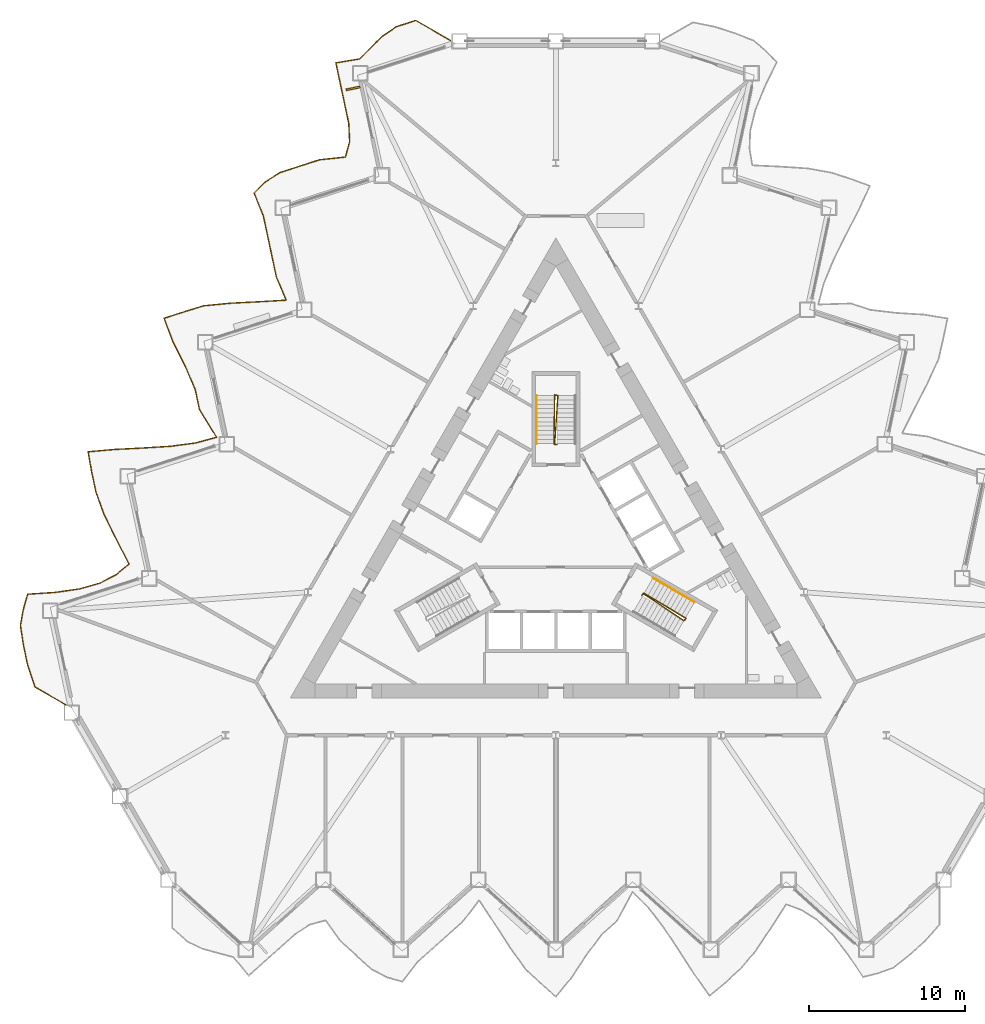
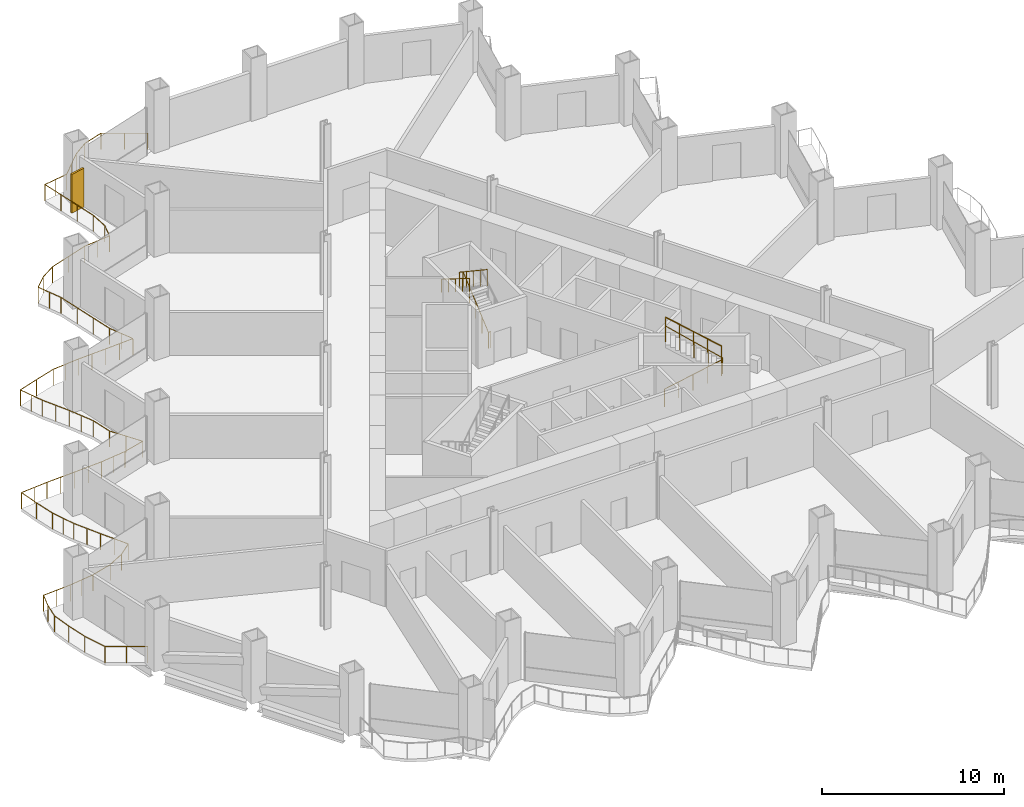
# One storey, part 18 of 21: 5 railings, 1 shading device.
"""IFC4 building model written with IfcOpenShell, lengths in metres."""

from ifc_helpers import new_model, si_unit, direction, frame, origin, origin_2d, place, context, subcontext, project, spatial, rectangle, circle, extrude, material, layer, layer_set, type_object, element, save


model = new_model("IFC4")

# Units and contexts
model_context = context("Model", 3, precision=1e-05, world=origin(), true_north=direction((0.0, 1.0)))
body_context = subcontext(model_context, "Body", "Model", "MODEL_VIEW")
ifc_project = project(units=[si_unit("LENGTHUNIT", "METRE"), si_unit("AREAUNIT", "SQUARE_METRE"), si_unit("VOLUMEUNIT", "CUBIC_METRE"), si_unit("PLANEANGLEUNIT", "RADIAN"), si_unit("MASSUNIT", "GRAM", prefix="KILO")], contexts=[model_context])

# Site, building, storey
site_placement = place(None, origin())
site = spatial("IfcSite", under=ifc_project, at=site_placement, CompositionType="ELEMENT")
building_placement = place(site_placement, origin())
building = spatial("IfcBuilding", under=site, at=building_placement, Name="Cormorant Prow Tower", CompositionType="ELEMENT")
storey_placement = place(building_placement, frame((0.0, 0.0, 72.0)))
storey = spatial("IfcBuildingStorey", under=building, at=storey_placement, Name="L15", CompositionType="ELEMENT", Elevation=72.0)

# Railings
ifc_material_1 = material(Name="Aluminium 6063-T6", Category="aluminium")
railing_type_1 = type_object("IfcRailingType", Name="Balcony guard 1100", PredefinedType="GUARDRAIL", material=ifc_material_1)
railing_1_placement = place(storey_placement, frame((-6.743896484375, 32.281982421875, 0.0)))
element("IfcRailing", 1, at=railing_1_placement, inside=storey, type_object=railing_type_1, Name="Balcony guard WNW", PredefinedType="GUARDRAIL", context=body_context, shape_type="SweptSolid", body=[
    extrude(circle(Radius=0.02392578125, at=origin_2d()), frame((0.0, 0.0, 1.076171875), z_axis=(-0.86598941085, 0.50006233641, 0.0), x_axis=(-0.50006233641, -0.86598941085, 0.0)), (0.0, 0.0, 1.0), 2.570068359375),
    extrude(circle(Radius=0.02392578125, at=origin_2d()), frame((-2.2255859375, 1.28515625, 1.076171875), z_axis=(-0.951072017002, -0.308969284034, 0.0), x_axis=(0.308969284034, -0.951072017002, 0.0)), (0.0, 0.0, 1.0), 1.323486328125),
    extrude(circle(Radius=0.02392578125, at=origin_2d()), frame((-3.484375, 0.876220703125, 1.076171875), z_axis=(-0.824035385261, -0.566538333952, 0.0), x_axis=(0.566538333952, -0.824035385261, 0.0)), (0.0, 0.0, 1.0), 1.08935546875),
    extrude(circle(Radius=0.02392578125, at=origin_2d()), frame((-4.382080078125, 0.259033203125, 1.076171875), z_axis=(-0.709260026546, -0.704946958817, 0.0), x_axis=(0.704946958817, -0.709260026546, 0.0)), (0.0, 0.0, 1.0), 1.018798828125),
    extrude(circle(Radius=0.02392578125, at=origin_2d()), frame((-5.104736328125, -0.459228515625, 1.076171875), z_axis=(-0.706746960996, -0.707466418371, 0.0), x_axis=(0.707466418371, -0.706746960996, 0.0)), (0.0, 0.0, 1.0), 1.01806640625),
    extrude(circle(Radius=0.02392578125, at=origin_2d()), frame((-5.82421875, -1.179443359375, 1.076171875), z_axis=(-0.986295604525, -0.16498781923, 0.0), x_axis=(0.16498781923, -0.986295604525, 0.0)), (0.0, 0.0, 1.0), 1.54638671875),
    extrude(circle(Radius=0.02392578125, at=origin_2d()), frame((-7.349365234375, -1.4345703125, 1.076171875), z_axis=(0.207916123024, -0.978146658629, 0.0), x_axis=(0.978146658629, 0.207916123024, 0.0)), (0.0, 0.0, 1.0), 1.3232421875),
    extrude(circle(Radius=0.02392578125, at=origin_2d()), frame((-7.07421875, -2.72900390625, 1.076171875), z_axis=(0.207953649087, -0.978138681288, 0.0), x_axis=(0.978138681288, 0.207953649087, 0.0)), (0.0, 0.0, 1.0), 1.322998046875),
    extrude(circle(Radius=0.02392578125, at=origin_2d()), frame((-6.799072265625, -4.023193359375, 1.076171875), z_axis=(0.207916123024, -0.978146658629, 0.0), x_axis=(0.978146658629, 0.207916123024, 0.0)), (0.0, 0.0, 1.0), 1.3232421875),
    extrude(circle(Radius=0.02392578125, at=origin_2d()), frame((-6.52392578125, -5.317626953125, 1.076171875), z_axis=(0.045995638535, -0.998941640556, 0.0), x_axis=(0.998941640556, 0.045995638535, 0.0)), (0.0, 0.0, 1.0), 1.167724609375),
    extrude(circle(Radius=0.02392578125, at=origin_2d()), frame((-6.47021484375, -6.484130859375, 1.076171875), z_axis=(-0.262589307442, -0.964907692796, 0.0), x_axis=(0.964907692796, -0.262589307442, 0.0)), (0.0, 0.0, 1.0), 1.01708984375),
    extrude(circle(Radius=0.02392578125, at=origin_2d()), frame((-6.7373046875, -7.465576171875, 1.076171875), z_axis=(-0.994527816492, -0.104472112178, 0.0), x_axis=(0.104472112178, -0.994527816492, 0.0)), (0.0, 0.0, 1.0), 1.67333984375),
    extrude(circle(Radius=0.02392578125, at=origin_2d()), frame((-8.4013671875, -7.640380859375, 1.076171875), z_axis=(-0.951054403512, -0.309023496777, 0.0), x_axis=(0.309023496777, -0.951054403512, 0.0)), (0.0, 0.0, 1.0), 1.3232421875),
    extrude(circle(Radius=0.02392578125, at=origin_2d()), frame((-9.659912109375, -8.04931640625, 1.076171875), z_axis=(-0.951054403512, -0.309023496777, 0.0), x_axis=(0.309023496777, -0.951054403512, 0.0)), (0.0, 0.0, 1.0), 1.3232421875),
    extrude(circle(Radius=0.02392578125, at=origin_2d()), frame((-10.91845703125, -8.458251953125, 1.076171875), z_axis=(-0.846452772035, -0.532463806014, 0.0), x_axis=(0.532463806014, -0.846452772035, 0.0)), (0.0, 0.0, 1.0), 1.11181640625),
    extrude(circle(Radius=0.02392578125, at=origin_2d()), frame((-11.859619140625, -9.05029296875, 1.076171875), z_axis=(-0.715187202401, -0.698932947801, 0.0), x_axis=(0.698932947801, -0.715187202401, 0.0)), (0.0, 0.0, 1.0), 1.021484375),
    extrude(circle(Radius=0.02392578125, at=origin_2d()), frame((-12.590087890625, -9.76416015625, 1.076171875), z_axis=(0.374839476918, -0.9270897295, 0.0), x_axis=(0.9270897295, 0.374839476918, 0.0)), (0.0, 0.0, 1.0), 1.59765625),
    extrude(circle(Radius=0.02392578125, at=origin_2d()), frame((-11.9912109375, -11.245361328125, 1.076171875), z_axis=(0.207916123024, -0.978146658629, 0.0), x_axis=(0.978146658629, 0.207916123024, 0.0)), (0.0, 0.0, 1.0), 1.3232421875),
    extrude(circle(Radius=0.02392578125, at=origin_2d()), frame((-11.716064453125, -12.539794921875, 1.076171875), z_axis=(0.207916123024, -0.978146658629, 0.0), x_axis=(0.978146658629, 0.207916123024, 0.0)), (0.0, 0.0, 1.0), 1.3232421875),
    extrude(circle(Radius=0.02392578125, at=origin_2d()), frame((-11.44091796875, -13.834228515625, 1.076171875), z_axis=(0.207916123024, -0.978146658629, 0.0), x_axis=(0.978146658629, 0.207916123024, 0.0)), (0.0, 0.0, 1.0), 1.3232421875),
    extrude(circle(Radius=0.02392578125, at=origin_2d()), frame((-11.165771484375, -15.128662109375, 1.076171875), z_axis=(0.386854438538, -0.922140793688, 0.0), x_axis=(0.922140793688, 0.386854438538, 0.0)), (0.0, 0.0, 1.0), 1.625),
    extrude(circle(Radius=0.02392578125, at=origin_2d()), frame((-10.537109375, -16.627197265625, 1.076171875), z_axis=(-0.998221644478, -0.059611647308, 0.0), x_axis=(0.059611647308, -0.998221644478, 0.0)), (0.0, 0.0, 1.0), 1.78564453125),
    extrude(circle(Radius=0.02392578125, at=origin_2d()), frame((-12.319580078125, -16.733642578125, 1.076171875), z_axis=(-0.998683055757, -0.051304523616, 0.0), x_axis=(0.051304523616, -0.998683055757, 0.0)), (0.0, 0.0, 1.0), 1.808349609375),
    extrude(circle(Radius=0.02392578125, at=origin_2d()), frame((-14.12548828125, -16.826416015625, 1.076171875), z_axis=(-0.995378066941, -0.096033868258, 0.0), x_axis=(0.096033868258, -0.995378066941, 0.0)), (0.0, 0.0, 1.0), 1.693115234375),
    extrude(circle(Radius=0.02392578125, at=origin_2d()), frame((-15.810791015625, -16.989013671875, 1.076171875), z_axis=(-0.955790803471, -0.294047513168, 0.0), x_axis=(0.294047513168, -0.955790803471, 0.0)), (0.0, 0.0, 1.0), 1.342529296875),
    extrude(circle(Radius=0.02392578125, at=origin_2d()), frame((-17.093994140625, -17.3837890625, 1.076171875), z_axis=(-0.951108613714, -0.308856608993, 0.0), x_axis=(0.308856608993, -0.951108613714, 0.0)), (0.0, 0.0, 1.0), 1.3232421875),
    extrude(circle(Radius=0.02392578125, at=origin_2d()), frame((-18.3525390625, -17.79248046875, 1.076171875), z_axis=(0.354100081093, -0.935207534492, 0.0), x_axis=(0.935207534492, 0.354100081093, 0.0)), (0.0, 0.0, 1.0), 1.553955078125),
    extrude(circle(Radius=0.02392578125, at=origin_2d()), frame((-17.80224609375, -19.245849609375, 1.076171875), z_axis=(0.446007023585, -0.89502946036, 0.0), x_axis=(0.89502946036, 0.446007023585, 0.0)), (0.0, 0.0, 1.0), 1.78125),
    extrude(circle(Radius=0.02392578125, at=origin_2d()), frame((-17.0078125, -20.840087890625, 1.076171875), z_axis=(0.395173075821, -0.91860668414, 0.0), x_axis=(0.91860668414, 0.395173075821, 0.0)), (0.0, 0.0, 1.0), 1.64453125),
    extrude(circle(Radius=0.02392578125, at=origin_2d()), frame((-16.35791015625, -22.350830078125, 1.076171875), z_axis=(0.207953649087, -0.978138681288, 0.0), x_axis=(0.978138681288, 0.207953649087, 0.0)), (0.0, 0.0, 1.0), 1.322998046875),
    extrude(circle(Radius=0.02392578125, at=origin_2d()), frame((-16.082763671875, -23.64501953125, 1.076171875), z_axis=(0.525527953778, -0.850776333591, 0.0), x_axis=(0.850776333591, 0.525527953778, 0.0)), (0.0, 0.0, 1.0), 2.07470703125),
    extrude(circle(Radius=0.02392578125, at=origin_2d()), frame((-14.992431640625, -25.41015625, 1.076171875), z_axis=(-0.964974933901, -0.262342099065, 0.0), x_axis=(0.262342099065, -0.964974933901, 0.0)), (0.0, 0.0, 1.0), 1.3857421875),
    extrude(circle(Radius=0.02392578125, at=origin_2d()), frame((-16.32958984375, -25.773681640625, 1.076171875), z_axis=(-0.991363444038, -0.131143134877, 0.0), x_axis=(0.131143134877, -0.991363444038, 0.0)), (0.0, 0.0, 1.0), 1.614013671875),
    extrude(circle(Radius=0.02392578125, at=origin_2d()), frame((-17.9296875, -25.9853515625, 1.076171875), z_axis=(-0.99801766977, -0.06293433743, 0.0), x_axis=(0.06293433743, -0.99801766977, 0.0)), (0.0, 0.0, 1.0), 1.776611328125),
    extrude(circle(Radius=0.02392578125, at=origin_2d()), frame((-19.702880859375, -26.09716796875, 1.076171875), z_axis=(-0.998750322432, -0.049977929542, 0.0), x_axis=(0.049977929542, -0.998750322432, 0.0)), (0.0, 0.0, 1.0), 1.812255859375),
    extrude(circle(Radius=0.02392578125, at=origin_2d()), frame((-21.512939453125, -26.187744140625, 1.076171875), z_axis=(-0.995964353039, -0.089749693458, 0.0), x_axis=(0.089749693458, -0.995964353039, 0.0)), (0.0, 0.0, 1.0), 1.708251953125),
    extrude(circle(Radius=0.02392578125, at=origin_2d()), frame((-23.21435546875, -26.341064453125, 1.076171875), z_axis=(0.1716547306, -0.985157171959, 0.0), x_axis=(0.985157171959, 0.1716547306, 0.0)), (0.0, 0.0, 1.0), 1.281494140625),
    extrude(circle(Radius=0.02392578125, at=origin_2d()), frame((-22.994384765625, -27.603515625, 1.076171875), z_axis=(0.207916123024, -0.978146658629, 0.0), x_axis=(0.978146658629, 0.207916123024, 0.0)), (0.0, 0.0, 1.0), 1.3232421875),
    extrude(circle(Radius=0.02392578125, at=origin_2d()), frame((-22.71923828125, -28.89794921875, 1.076171875), z_axis=(0.335704546621, -0.941967333498, 0.0), x_axis=(0.941967333498, 0.335704546621, 0.0)), (0.0, 0.0, 1.0), 1.517822265625),
    extrude(circle(Radius=0.02392578125, at=origin_2d()), frame((-22.209716796875, -30.32763671875, 1.076171875), z_axis=(0.442798094343, -0.896621351322, 0.0), x_axis=(0.896621351322, 0.442798094343, 0.0)), (0.0, 0.0, 1.0), 1.771484375),
    extrude(circle(Radius=0.02392578125, at=origin_2d()), frame((-21.42529296875, -31.916015625, 1.076171875), z_axis=(0.456557099974, -0.889694112863, 0.0), x_axis=(0.889694112863, 0.456557099974, 0.0)), (0.0, 0.0, 1.0), 1.81396484375),
    extrude(circle(Radius=0.02392578125, at=origin_2d()), frame((-20.59716796875, -33.52978515625, 1.076171875), z_axis=(-0.770011758677, -0.638029694841, 0.0), x_axis=(0.638029694841, -0.770011758677, 0.0)), (0.0, 0.0, 1.0), 1.048828125),
    extrude(circle(Radius=0.02392578125, at=origin_2d()), frame((-21.40478515625, -34.198974609375, 1.076171875), z_axis=(-0.884954654148, -0.465677205908, 0.0), x_axis=(0.465677205908, -0.884954654148, 0.0)), (0.0, 0.0, 1.0), 1.162841796875),
    extrude(circle(Radius=0.02392578125, at=origin_2d()), frame((-22.433837890625, -34.740478515625, 1.076171875), z_axis=(-0.960777764863, -0.277319466581, 0.0), x_axis=(0.277319466581, -0.960777764863, 0.0)), (0.0, 0.0, 1.0), 1.364501953125),
    extrude(circle(Radius=0.02392578125, at=origin_2d()), frame((-23.744873046875, -35.118896484375, 1.076171875), z_axis=(-0.99009593478, -0.140392449697, 0.0), x_axis=(0.140392449697, -0.99009593478, 0.0)), (0.0, 0.0, 1.0), 1.5947265625),
    extrude(circle(Radius=0.02392578125, at=origin_2d()), frame((-25.32373046875, -35.3427734375, 1.076171875), z_axis=(-0.997760012921, -0.066895116533, 0.0), x_axis=(0.066895116533, -0.997760012921, 0.0)), (0.0, 0.0, 1.0), 1.766357421875),
    extrude(circle(Radius=0.02392578125, at=origin_2d()), frame((-27.086181640625, -35.4609375, 1.076171875), z_axis=(-0.275548143323, -0.961287272729, 0.0), x_axis=(0.961287272729, -0.275548143323, 0.0)), (0.0, 0.0, 1.0), 1.013671875),
    extrude(circle(Radius=0.02392578125, at=origin_2d()), frame((-27.365478515625, -36.435302734375, 1.076171875), z_axis=(-0.175289754065, -0.984516887676, 0.0), x_axis=(0.984516887676, -0.175289754065, 0.0)), (0.0, 0.0, 1.0), 1.0458984375),
    extrude(circle(Radius=0.02392578125, at=origin_2d()), frame((-27.548828125, -37.465087890625, 1.076171875), z_axis=(0.14927059664, -0.988796383983, 0.0), x_axis=(0.988796383983, 0.14927059664, 0.0)), (0.0, 0.0, 1.0), 1.2578125),
    extrude(circle(Radius=0.02392578125, at=origin_2d()), frame((-27.361083984375, -38.708740234375, 1.076171875), z_axis=(0.207916123024, -0.978146658629, 0.0), x_axis=(0.978146658629, 0.207916123024, 0.0)), (0.0, 0.0, 1.0), 1.3232421875),
    extrude(circle(Radius=0.02392578125, at=origin_2d()), frame((-27.0859375, -40.003173828125, 1.076171875), z_axis=(0.316968249685, -0.94843614898, 0.0), x_axis=(0.94843614898, 0.316968249685, 0.0)), (0.0, 0.0, 1.0), 1.4833984375),
    extrude(circle(Radius=0.02392578125, at=origin_2d()), frame((-26.61572265625, -41.41015625, 1.076171875), z_axis=(0.866017386532, -0.500013886032, 0.0), x_axis=(0.500013886032, 0.866017386532, 0.0)), (0.0, 0.0, 1.0), 2.3447265625),
    extrude(circle(Radius=0.02099609375, at=origin_2d()), origin(), (0.0, 0.0, 1.0), 1.052001953125),
    extrude(circle(Radius=0.02099609375, at=origin_2d()), frame((-1.11279296875, 0.642578125, 0.0)), (0.0, 0.0, 1.0), 1.052001953125),
    extrude(circle(Radius=0.02099609375, at=origin_2d()), frame((-2.2255859375, 1.28515625, 0.0)), (0.0, 0.0, 1.0), 1.052001953125),
    extrude(circle(Radius=0.02099609375, at=origin_2d()), frame((-3.484375, 0.876220703125, 0.0)), (0.0, 0.0, 1.0), 1.052001953125),
    extrude(circle(Radius=0.02099609375, at=origin_2d()), frame((-4.382080078125, 0.259033203125, 0.0)), (0.0, 0.0, 1.0), 1.052001953125),
    extrude(circle(Radius=0.02099609375, at=origin_2d()), frame((-5.104736328125, -0.459228515625, 0.0)), (0.0, 0.0, 1.0), 1.052001953125),
    extrude(circle(Radius=0.02099609375, at=origin_2d()), frame((-5.82421875, -1.179443359375, 0.0)), (0.0, 0.0, 1.0), 1.052001953125),
    extrude(circle(Radius=0.02099609375, at=origin_2d()), frame((-6.5869140625, -1.30712890625, 0.0)), (0.0, 0.0, 1.0), 1.052001953125),
    extrude(circle(Radius=0.02099609375, at=origin_2d()), frame((-7.349365234375, -1.4345703125, 0.0)), (0.0, 0.0, 1.0), 1.052001953125),
    extrude(circle(Radius=0.02099609375, at=origin_2d()), frame((-7.07421875, -2.72900390625, 0.0)), (0.0, 0.0, 1.0), 1.052001953125),
    extrude(circle(Radius=0.02099609375, at=origin_2d()), frame((-6.799072265625, -4.023193359375, 0.0)), (0.0, 0.0, 1.0), 1.052001953125),
    extrude(circle(Radius=0.02099609375, at=origin_2d()), frame((-6.52392578125, -5.317626953125, 0.0)), (0.0, 0.0, 1.0), 1.052001953125),
    extrude(circle(Radius=0.02099609375, at=origin_2d()), frame((-6.47021484375, -6.484130859375, 0.0)), (0.0, 0.0, 1.0), 1.052001953125),
    extrude(circle(Radius=0.02099609375, at=origin_2d()), frame((-6.7373046875, -7.465576171875, 0.0)), (0.0, 0.0, 1.0), 1.052001953125),
    extrude(circle(Radius=0.02099609375, at=origin_2d()), frame((-7.5693359375, -7.552978515625, 0.0)), (0.0, 0.0, 1.0), 1.052001953125),
    extrude(circle(Radius=0.02099609375, at=origin_2d()), frame((-8.4013671875, -7.640380859375, 0.0)), (0.0, 0.0, 1.0), 1.052001953125),
    extrude(circle(Radius=0.02099609375, at=origin_2d()), frame((-9.659912109375, -8.04931640625, 0.0)), (0.0, 0.0, 1.0), 1.052001953125),
    extrude(circle(Radius=0.02099609375, at=origin_2d()), frame((-10.91845703125, -8.458251953125, 0.0)), (0.0, 0.0, 1.0), 1.052001953125),
    extrude(circle(Radius=0.02099609375, at=origin_2d()), frame((-11.859619140625, -9.05029296875, 0.0)), (0.0, 0.0, 1.0), 1.052001953125),
    extrude(circle(Radius=0.02099609375, at=origin_2d()), frame((-12.590087890625, -9.76416015625, 0.0)), (0.0, 0.0, 1.0), 1.052001953125),
    extrude(circle(Radius=0.02099609375, at=origin_2d()), frame((-12.29052734375, -10.5048828125, 0.0)), (0.0, 0.0, 1.0), 1.052001953125),
    extrude(circle(Radius=0.02099609375, at=origin_2d()), frame((-11.9912109375, -11.245361328125, 0.0)), (0.0, 0.0, 1.0), 1.052001953125),
    extrude(circle(Radius=0.02099609375, at=origin_2d()), frame((-11.716064453125, -12.539794921875, 0.0)), (0.0, 0.0, 1.0), 1.052001953125),
    extrude(circle(Radius=0.02099609375, at=origin_2d()), frame((-11.44091796875, -13.834228515625, 0.0)), (0.0, 0.0, 1.0), 1.052001953125),
    extrude(circle(Radius=0.02099609375, at=origin_2d()), frame((-11.165771484375, -15.128662109375, 0.0)), (0.0, 0.0, 1.0), 1.052001953125),
    extrude(circle(Radius=0.02099609375, at=origin_2d()), frame((-10.8515625, -15.8779296875, 0.0)), (0.0, 0.0, 1.0), 1.052001953125),
    extrude(circle(Radius=0.02099609375, at=origin_2d()), frame((-10.537109375, -16.627197265625, 0.0)), (0.0, 0.0, 1.0), 1.052001953125),
    extrude(circle(Radius=0.02099609375, at=origin_2d()), frame((-11.42822265625, -16.680419921875, 0.0)), (0.0, 0.0, 1.0), 1.052001953125),
    extrude(circle(Radius=0.02099609375, at=origin_2d()), frame((-12.319580078125, -16.733642578125, 0.0)), (0.0, 0.0, 1.0), 1.052001953125),
    extrude(circle(Radius=0.02099609375, at=origin_2d()), frame((-13.22265625, -16.780029296875, 0.0)), (0.0, 0.0, 1.0), 1.052001953125),
    extrude(circle(Radius=0.02099609375, at=origin_2d()), frame((-14.12548828125, -16.826416015625, 0.0)), (0.0, 0.0, 1.0), 1.052001953125),
    extrude(circle(Radius=0.02099609375, at=origin_2d()), frame((-14.96826171875, -16.90771484375, 0.0)), (0.0, 0.0, 1.0), 1.052001953125),
    extrude(circle(Radius=0.02099609375, at=origin_2d()), frame((-15.810791015625, -16.989013671875, 0.0)), (0.0, 0.0, 1.0), 1.052001953125),
    extrude(circle(Radius=0.02099609375, at=origin_2d()), frame((-17.093994140625, -17.3837890625, 0.0)), (0.0, 0.0, 1.0), 1.052001953125),
    extrude(circle(Radius=0.02099609375, at=origin_2d()), frame((-18.3525390625, -17.79248046875, 0.0)), (0.0, 0.0, 1.0), 1.052001953125),
    extrude(circle(Radius=0.02099609375, at=origin_2d()), frame((-18.077392578125, -18.51904296875, 0.0)), (0.0, 0.0, 1.0), 1.052001953125),
    extrude(circle(Radius=0.02099609375, at=origin_2d()), frame((-17.80224609375, -19.245849609375, 0.0)), (0.0, 0.0, 1.0), 1.052001953125),
    extrude(circle(Radius=0.02099609375, at=origin_2d()), frame((-17.405029296875, -20.04296875, 0.0)), (0.0, 0.0, 1.0), 1.052001953125),
    extrude(circle(Radius=0.02099609375, at=origin_2d()), frame((-17.0078125, -20.840087890625, 0.0)), (0.0, 0.0, 1.0), 1.052001953125),
    extrude(circle(Radius=0.02099609375, at=origin_2d()), frame((-16.682861328125, -21.595458984375, 0.0)), (0.0, 0.0, 1.0), 1.052001953125),
    extrude(circle(Radius=0.02099609375, at=origin_2d()), frame((-16.35791015625, -22.350830078125, 0.0)), (0.0, 0.0, 1.0), 1.052001953125),
    extrude(circle(Radius=0.02099609375, at=origin_2d()), frame((-16.082763671875, -23.64501953125, 0.0)), (0.0, 0.0, 1.0), 1.052001953125),
    extrude(circle(Radius=0.02099609375, at=origin_2d()), frame((-15.53759765625, -24.527587890625, 0.0)), (0.0, 0.0, 1.0), 1.052001953125),
    extrude(circle(Radius=0.02099609375, at=origin_2d()), frame((-14.992431640625, -25.41015625, 0.0)), (0.0, 0.0, 1.0), 1.052001953125),
    extrude(circle(Radius=0.02099609375, at=origin_2d()), frame((-16.32958984375, -25.773681640625, 0.0)), (0.0, 0.0, 1.0), 1.052001953125),
    extrude(circle(Radius=0.02099609375, at=origin_2d()), frame((-17.129638671875, -25.87939453125, 0.0)), (0.0, 0.0, 1.0), 1.052001953125),
    extrude(circle(Radius=0.02099609375, at=origin_2d()), frame((-17.9296875, -25.9853515625, 0.0)), (0.0, 0.0, 1.0), 1.052001953125),
    extrude(circle(Radius=0.02099609375, at=origin_2d()), frame((-18.81640625, -26.041259765625, 0.0)), (0.0, 0.0, 1.0), 1.052001953125),
    extrude(circle(Radius=0.02099609375, at=origin_2d()), frame((-19.702880859375, -26.09716796875, 0.0)), (0.0, 0.0, 1.0), 1.052001953125),
    extrude(circle(Radius=0.02099609375, at=origin_2d()), frame((-20.60791015625, -26.142578125, 0.0)), (0.0, 0.0, 1.0), 1.052001953125),
    extrude(circle(Radius=0.02099609375, at=origin_2d()), frame((-21.512939453125, -26.187744140625, 0.0)), (0.0, 0.0, 1.0), 1.052001953125),
    extrude(circle(Radius=0.02099609375, at=origin_2d()), frame((-22.36376953125, -26.264404296875, 0.0)), (0.0, 0.0, 1.0), 1.052001953125),
    extrude(circle(Radius=0.02099609375, at=origin_2d()), frame((-23.21435546875, -26.341064453125, 0.0)), (0.0, 0.0, 1.0), 1.052001953125),
    extrude(circle(Radius=0.02099609375, at=origin_2d()), frame((-22.994384765625, -27.603515625, 0.0)), (0.0, 0.0, 1.0), 1.052001953125),
    extrude(circle(Radius=0.02099609375, at=origin_2d()), frame((-22.71923828125, -28.89794921875, 0.0)), (0.0, 0.0, 1.0), 1.052001953125),
    extrude(circle(Radius=0.02099609375, at=origin_2d()), frame((-22.46435546875, -29.61279296875, 0.0)), (0.0, 0.0, 1.0), 1.052001953125),
    extrude(circle(Radius=0.02099609375, at=origin_2d()), frame((-22.209716796875, -30.32763671875, 0.0)), (0.0, 0.0, 1.0), 1.052001953125),
    extrude(circle(Radius=0.02099609375, at=origin_2d()), frame((-21.8173828125, -31.121826171875, 0.0)), (0.0, 0.0, 1.0), 1.052001953125),
    extrude(circle(Radius=0.02099609375, at=origin_2d()), frame((-21.42529296875, -31.916015625, 0.0)), (0.0, 0.0, 1.0), 1.052001953125),
    extrude(circle(Radius=0.02099609375, at=origin_2d()), frame((-21.01123046875, -32.722900390625, 0.0)), (0.0, 0.0, 1.0), 1.052001953125),
    extrude(circle(Radius=0.02099609375, at=origin_2d()), frame((-20.59716796875, -33.52978515625, 0.0)), (0.0, 0.0, 1.0), 1.052001953125),
    extrude(circle(Radius=0.02099609375, at=origin_2d()), frame((-21.40478515625, -34.198974609375, 0.0)), (0.0, 0.0, 1.0), 1.052001953125),
    extrude(circle(Radius=0.02099609375, at=origin_2d()), frame((-22.433837890625, -34.740478515625, 0.0)), (0.0, 0.0, 1.0), 1.052001953125),
    extrude(circle(Radius=0.02099609375, at=origin_2d()), frame((-23.744873046875, -35.118896484375, 0.0)), (0.0, 0.0, 1.0), 1.052001953125),
    extrude(circle(Radius=0.02099609375, at=origin_2d()), frame((-24.5341796875, -35.23095703125, 0.0)), (0.0, 0.0, 1.0), 1.052001953125),
    extrude(circle(Radius=0.02099609375, at=origin_2d()), frame((-25.32373046875, -35.3427734375, 0.0)), (0.0, 0.0, 1.0), 1.052001953125),
    extrude(circle(Radius=0.02099609375, at=origin_2d()), frame((-26.205078125, -35.40185546875, 0.0)), (0.0, 0.0, 1.0), 1.052001953125),
    extrude(circle(Radius=0.02099609375, at=origin_2d()), frame((-27.086181640625, -35.4609375, 0.0)), (0.0, 0.0, 1.0), 1.052001953125),
    extrude(circle(Radius=0.02099609375, at=origin_2d()), frame((-27.365478515625, -36.435302734375, 0.0)), (0.0, 0.0, 1.0), 1.052001953125),
    extrude(circle(Radius=0.02099609375, at=origin_2d()), frame((-27.548828125, -37.465087890625, 0.0)), (0.0, 0.0, 1.0), 1.052001953125),
    extrude(circle(Radius=0.02099609375, at=origin_2d()), frame((-27.361083984375, -38.708740234375, 0.0)), (0.0, 0.0, 1.0), 1.052001953125),
    extrude(circle(Radius=0.02099609375, at=origin_2d()), frame((-27.0859375, -40.003173828125, 0.0)), (0.0, 0.0, 1.0), 1.052001953125),
    extrude(circle(Radius=0.02099609375, at=origin_2d()), frame((-26.61572265625, -41.41015625, 0.0)), (0.0, 0.0, 1.0), 1.052001953125),
    extrude(circle(Radius=0.02099609375, at=origin_2d()), frame((-25.6005859375, -41.996337890625, 0.0)), (0.0, 0.0, 1.0), 1.052001953125),
    extrude(circle(Radius=0.02099609375, at=origin_2d()), frame((-24.585205078125, -42.58251953125, 0.0)), (0.0, 0.0, 1.0), 1.052001953125),
])
ifc_material_2 = material(Name="Stainless steel", Category="steel")
railing_type_2 = type_object("IfcRailingType", Name="Stair guard 1100", PredefinedType="GUARDRAIL", material=ifc_material_2)
railing_2_placement = place(storey_placement, frame((5.510009765625, -3.267822265625, 0.0)))
element("IfcRailing", 2, at=railing_2_placement, inside=storey, type_object=railing_type_2, Name="L15 ST2 stair guard 1", PredefinedType="GUARDRAIL", context=body_context, shape_type="SweptSolid", body=[
    extrude(circle(Radius=0.02392578125, at=origin_2d()), frame((0.0, 0.0, 1.076171875), z_axis=(0.501036270542, 0.865426285481, 0.0), x_axis=(-0.865426285481, 0.501036270542, 0.0)), (0.0, 0.0, 1.0), 0.150146484375),
    extrude(circle(Radius=0.02392578125, at=origin_2d()), frame((0.0751953125, 0.1298828125, 1.076171875), z_axis=(0.691630634645, -0.46052652377, 0.556383308633), x_axis=(0.554233058506, 0.832361530141, 0.0)), (0.0, 0.0, 1.0), 3.774658203125),
    extrude(circle(Radius=0.02392578125, at=origin_2d()), frame((2.685791015625, -1.6083984375, 3.17626953125), z_axis=(0.695164929852, 0.718850276695, 0.0), x_axis=(-0.718850276695, 0.695164929852, 0.0)), (0.0, 0.0, 1.0), 0.2060546875),
    extrude(circle(Radius=0.02392578125, at=origin_2d()), frame((2.8291015625, -1.460205078125, 3.17626953125), z_axis=(-0.712489022558, 0.426677363931, 0.55705100291), x_axis=(-0.513773053629, -0.857926132814, 0.0)), (0.0, 0.0, 1.0), 3.76953125),
    extrude(circle(Radius=0.02099609375, at=origin_2d()), origin(), (0.0, 0.0, 1.0), 1.052001953125),
    extrude(circle(Radius=0.02099609375, at=origin_2d()), frame((0.0751953125, 0.1298828125, 0.0)), (0.0, 0.0, 1.0), 1.052001953125),
    extrude(circle(Radius=0.02099609375, at=origin_2d()), frame((0.727783203125, -0.3046875, 0.52490234375)), (0.0, 0.0, 1.0), 1.052001953125),
    extrude(circle(Radius=0.02099609375, at=origin_2d()), frame((1.38037109375, -0.7392578125, 1.050048828125)), (0.0, 0.0, 1.0), 1.052001953125),
    extrude(circle(Radius=0.02099609375, at=origin_2d()), frame((2.033203125, -1.173828125, 1.5751953125)), (0.0, 0.0, 1.0), 1.052001953125),
    extrude(circle(Radius=0.02099609375, at=origin_2d()), frame((2.685791015625, -1.6083984375, 2.10009765625)), (0.0, 0.0, 1.0), 1.052001953125),
    extrude(circle(Radius=0.02099609375, at=origin_2d()), frame((2.8291015625, -1.460205078125, 2.10009765625)), (0.0, 0.0, 1.0), 1.052001953125),
    extrude(circle(Radius=0.02099609375, at=origin_2d()), frame((2.15771484375, -1.05810546875, 2.625)), (0.0, 0.0, 1.0), 1.052001953125),
    extrude(circle(Radius=0.02099609375, at=origin_2d()), frame((1.486328125, -0.656005859375, 3.14990234375)), (0.0, 0.0, 1.0), 1.052001953125),
    extrude(circle(Radius=0.02099609375, at=origin_2d()), frame((0.814697265625, -0.25390625, 3.675048828125)), (0.0, 0.0, 1.0), 1.052001953125),
    extrude(circle(Radius=0.02099609375, at=origin_2d()), frame((0.143310546875, 0.148193359375, 4.199951171875)), (0.0, 0.0, 1.0), 1.052001953125),
])
railing_3_placement = place(storey_placement, frame((0.074951171875, 6.40576171875, 0.0)))
element("IfcRailing", 3, at=railing_3_placement, inside=storey, type_object=railing_type_2, Name="L15 ST3 stair guard 1", PredefinedType="GUARDRAIL", context=body_context, shape_type="SweptSolid", body=[
    extrude(circle(Radius=0.02392578125, at=origin_2d()), frame((0.0, 0.0, 1.076171875), z_axis=(-1.0, 0.0, 0.0), x_axis=(0.0, -1.0, 0.0)), (0.0, 0.0, 1.0), 0.14990234375),
    extrude(circle(Radius=0.02392578125, at=origin_2d()), frame((-0.14990234375, 0.0, 1.076171875), z_axis=(0.052971918151, 0.829246596605, 0.556366837532), x_axis=(-0.997965923181, 0.063749636618, 0.0)), (0.0, 0.0, 1.0), 3.774658203125),
    extrude(circle(Radius=0.02392578125, at=origin_2d()), frame((0.050048828125, 3.130126953125, 3.17626953125), z_axis=(-0.970072785993, 0.242814311512, 0.0), x_axis=(-0.242814311512, -0.970072785993, 0.0)), (0.0, 0.0, 1.0), 0.2060546875),
    extrude(circle(Radius=0.02392578125, at=origin_2d()), frame((-0.14990234375, 3.18017578125, 3.17626953125), z_axis=(-0.013277099958, -0.830369261271, 0.557055301162), x_axis=(0.999872194171, -0.015987348866, 0.0)), (0.0, 0.0, 1.0), 3.76953125),
    extrude(circle(Radius=0.02099609375, at=origin_2d()), origin(), (0.0, 0.0, 1.0), 1.052001953125),
    extrude(circle(Radius=0.02099609375, at=origin_2d()), frame((-0.14990234375, 0.0, 0.0)), (0.0, 0.0, 1.0), 1.052001953125),
    extrude(circle(Radius=0.02099609375, at=origin_2d()), frame((-0.099853515625, 0.782470703125, 0.52490234375)), (0.0, 0.0, 1.0), 1.052001953125),
    extrude(circle(Radius=0.02099609375, at=origin_2d()), frame((-0.0498046875, 1.56494140625, 1.050048828125)), (0.0, 0.0, 1.0), 1.052001953125),
    extrude(circle(Radius=0.02099609375, at=origin_2d()), frame((0.0, 2.34765625, 1.5751953125)), (0.0, 0.0, 1.0), 1.052001953125),
    extrude(circle(Radius=0.02099609375, at=origin_2d()), frame((0.050048828125, 3.130126953125, 2.10009765625)), (0.0, 0.0, 1.0), 1.052001953125),
    extrude(circle(Radius=0.02099609375, at=origin_2d()), frame((-0.14990234375, 3.18017578125, 2.10009765625)), (0.0, 0.0, 1.0), 1.052001953125),
    extrude(circle(Radius=0.02099609375, at=origin_2d()), frame((-0.162353515625, 2.397705078125, 2.625)), (0.0, 0.0, 1.0), 1.052001953125),
    extrude(circle(Radius=0.02099609375, at=origin_2d()), frame((-0.1748046875, 1.615234375, 3.14990234375)), (0.0, 0.0, 1.0), 1.052001953125),
    extrude(circle(Radius=0.02099609375, at=origin_2d()), frame((-0.1875, 0.83251953125, 3.675048828125)), (0.0, 0.0, 1.0), 1.052001953125),
    extrude(circle(Radius=0.02099609375, at=origin_2d()), frame((-0.199951171875, 0.050048828125, 4.199951171875)), (0.0, 0.0, 1.0), 1.052001953125),
])
ifc_material_3 = material(Name="Stainless steel", Category="steel")
railing_type_3 = type_object("IfcRailingType", Name="Stair handrail 900", PredefinedType="HANDRAIL", material=ifc_material_3)
railing_4_placement = place(storey_placement, frame((8.88037109375, -3.690673828125, 2.27490234375)))
element("IfcRailing", 4, at=railing_4_placement, inside=storey, type_object=railing_type_3, Name="L15 ST2 stair handrail 2", PredefinedType="HANDRAIL", context=body_context, shape_type="SweptSolid", body=[
    extrude(circle(Radius=0.02392578125, at=origin_2d()), frame((0.0, 0.0, 0.8759765625), z_axis=(-0.734394994316, 0.423994474112, 0.52999309264), x_axis=(-0.499992328818, -0.866029832698, 0.0)), (0.0, 0.0, 1.0), 3.63232421875),
    extrude(circle(Radius=0.02099609375, at=origin_2d()), origin(), (0.0, 0.0, 1.0), 0.851806640625),
    extrude(circle(Radius=0.02099609375, at=origin_2d()), frame((-0.6669921875, 0.385009765625, 0.481201171875)), (0.0, 0.0, 1.0), 0.851806640625),
    extrude(circle(Radius=0.02099609375, at=origin_2d()), frame((-1.333740234375, 0.77001953125, 0.96240234375)), (0.0, 0.0, 1.0), 0.851806640625),
    extrude(circle(Radius=0.02099609375, at=origin_2d()), frame((-2.00048828125, 1.155029296875, 1.44384765625)), (0.0, 0.0, 1.0), 0.851806640625),
    extrude(circle(Radius=0.02099609375, at=origin_2d()), frame((-2.66748046875, 1.5400390625, 1.925048828125)), (0.0, 0.0, 1.0), 0.851806640625),
])
railing_5_placement = place(storey_placement, frame((-1.243896484375, 9.535888671875, 2.27490234375)))
element("IfcRailing", 5, at=railing_5_placement, inside=storey, type_object=railing_type_3, Name="L15 ST3 stair handrail 2", PredefinedType="HANDRAIL", context=body_context, shape_type="SweptSolid", body=[
    extrude(circle(Radius=0.02392578125, at=origin_2d()), frame((0.0, 0.0, 0.8759765625), z_axis=(0.0, -0.847998304005, 0.529998940003), x_axis=(1.0, 0.0, 0.0)), (0.0, 0.0, 1.0), 3.632080078125),
    extrude(circle(Radius=0.02099609375, at=origin_2d()), origin(), (0.0, 0.0, 1.0), 0.851806640625),
    extrude(circle(Radius=0.02099609375, at=origin_2d()), frame((0.0, -0.77001953125, 0.481201171875)), (0.0, 0.0, 1.0), 0.851806640625),
    extrude(circle(Radius=0.02099609375, at=origin_2d()), frame((0.0, -1.5400390625, 0.96240234375)), (0.0, 0.0, 1.0), 0.851806640625),
    extrude(circle(Radius=0.02099609375, at=origin_2d()), frame((0.0, -2.31005859375, 1.44384765625)), (0.0, 0.0, 1.0), 0.851806640625),
    extrude(circle(Radius=0.02099609375, at=origin_2d()), frame((0.0, -3.080078125, 1.925048828125)), (0.0, 0.0, 1.0), 0.851806640625),
])

# Shading device
ifc_material_4 = material(Name="Terracotta", Category="masonry")
ifc_layer = layer(ifc_material_4, 0.1201171875)
ifc_layer_set = layer_set([ifc_layer], Name="Terracotta")
shading_device_type = type_object("IfcShadingDeviceType", Name="Terracotta baguette fin 120x900x2600", PredefinedType="USERDEFINED", material=ifc_layer_set)
shading_device_placement = place(storey_placement, frame((-12.989013671875, 29.20751953125, 0.0), z_axis=(0.0, 0.0, 1.0), x_axis=(0.20791175581, -0.978147586919, 0.0)))
element("IfcShadingDevice", 6, at=shading_device_placement, inside=storey, type_object=shading_device_type, Name="Baguette fin WNW01", ObjectType="BAGUETTE", PredefinedType="USERDEFINED", context=body_context, shape_type="SweptSolid", body=[
    extrude(rectangle(XDim=0.1201171875, YDim=0.89990234375, at=origin_2d()), origin(), (0.0, 0.0, 1.0), 2.60009765625),
])

save(model, "model.ifc")
